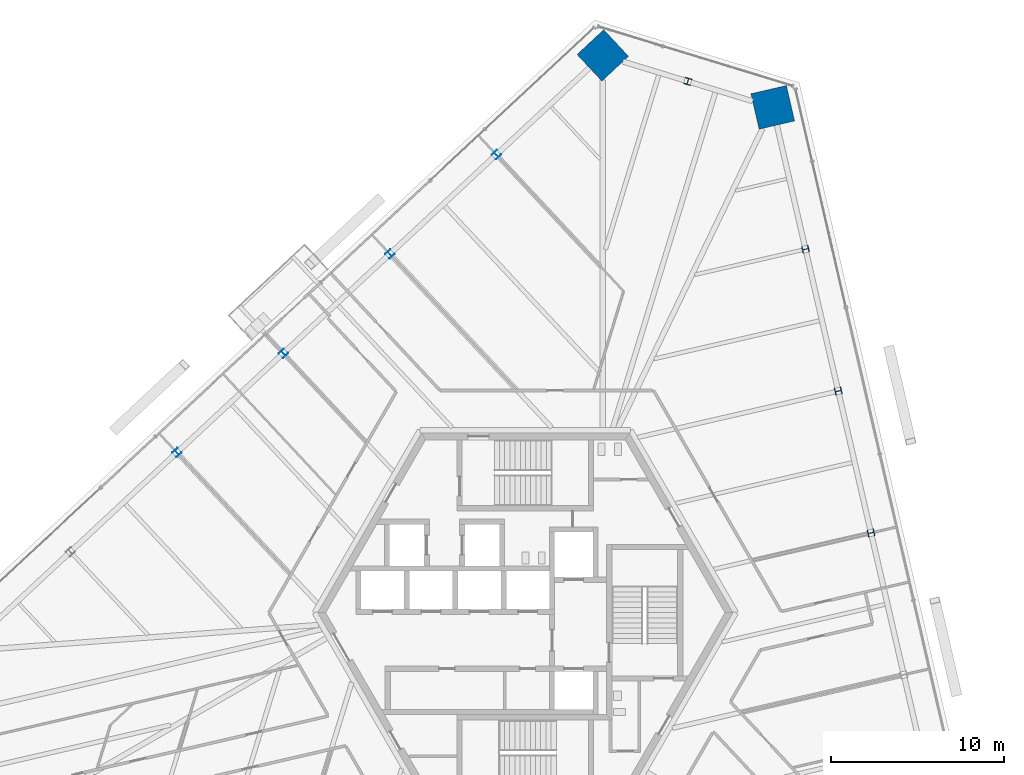
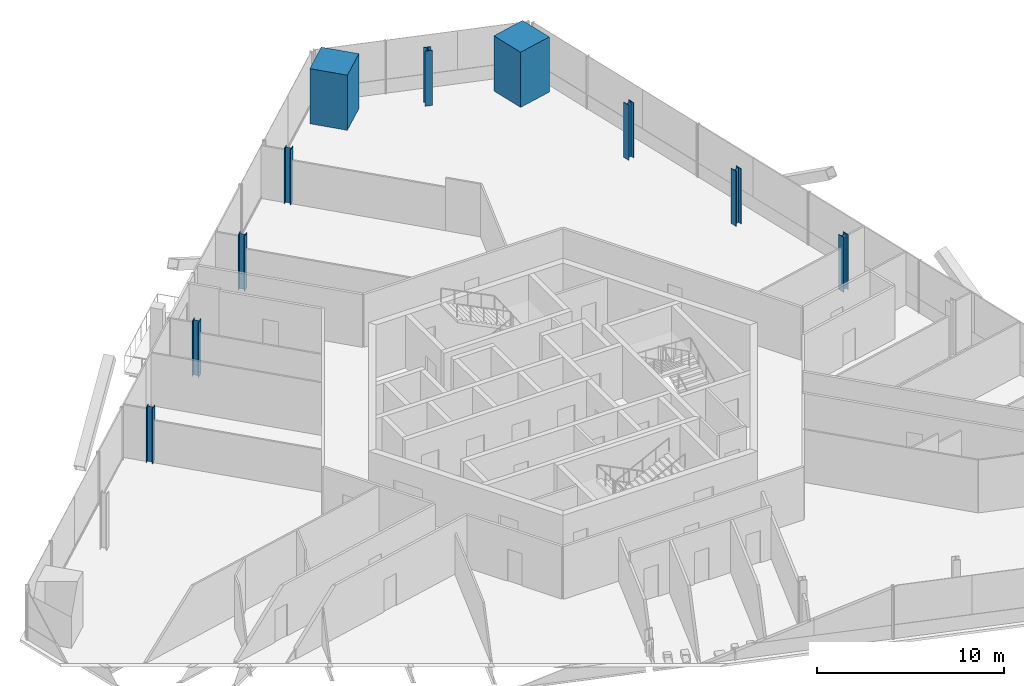
# One storey, part 3 of 19: 10 columns.
"""IFC4 building model written with IfcOpenShell, lengths in metres."""

import ifcopenshell
import ifcopenshell.guid

model = None  # the IFC model being written
_history = None  # IfcOwnerHistory: only IFC2X3 demands one
_inside = {}  # id of a spatial element -> (the spatial element, [elements in it])
_under = {}  # id of a project, library or spatial element -> (it, [spatial elements below it])
_declared = {}  # id of a project -> (the project, [libraries it declares])
_typed = {}  # id of a type object -> (the type object, [elements of that type])
_made_of = {}  # id of a material, layer set ... -> (it, [elements and type objects made of it])


def new_model(schema):
    """Start an empty IFC model of exactly this schema.

    Asked for "IFC4X3", IfcOpenShell would pick the latest addendum, in which some entities
    have other attributes; the version numbers below select the first issue.
    IFC2X3 requires an IfcOwnerHistory on every rooted entity: one is made here for all.
    """
    global model, _history
    if schema == "IFC4X3":
        model = ifcopenshell.file(schema_version=(4, 3, 0, 0))
    else:
        model = ifcopenshell.file(schema=schema)
    _inside.clear()
    _under.clear()
    _declared.clear()
    _typed.clear()
    _made_of.clear()
    _history = None
    if model.schema == "IFC2X3":
        org = make("IfcOrganization", Name="unknown")
        user = make(
            "IfcPersonAndOrganization",
            ThePerson=make("IfcPerson", FamilyName="unknown"),
            TheOrganization=org,
        )
        app = make(
            "IfcApplication",
            ApplicationDeveloper=org,
            Version="unknown",
            ApplicationFullName="unknown",
            ApplicationIdentifier="unknown",
        )
        _history = make(
            "IfcOwnerHistory",
            OwningUser=user,
            OwningApplication=app,
            ChangeAction="ADDED",
            CreationDate=0,
        )
    return model


def make(cls, **values):
    """One entity of the class cls with the attributes given. An attribute that is None is left unset."""
    return model.create_entity(
        cls, **{name: value for name, value in values.items() if value is not None}
    )


def rooted(cls, **values):
    """An entity with a GlobalId (a new one), such as an element, a storey or a relation."""
    return make(cls, GlobalId=ifcopenshell.guid.new(), OwnerHistory=_history, **values)


def si_unit(unit_type, name, prefix=None):
    """IfcSIUnit, for example si_unit("LENGTHUNIT", "METRE", prefix="MILLI")."""
    return make("IfcSIUnit", UnitType=unit_type, Prefix=prefix, Name=name)


def assignment(units):
    """IfcUnitAssignment: the units of a project."""
    return None if units is None else make("IfcUnitAssignment", Units=units)


def point(xyz):
    """IfcCartesianPoint."""
    return None if xyz is None else make("IfcCartesianPoint", Coordinates=xyz)


def direction(xyz):
    """IfcDirection."""
    return None if xyz is None else make("IfcDirection", DirectionRatios=xyz)


def frame(location, z_axis=None, x_axis=None):
    """IfcAxis2Placement3D, a coordinate frame: its origin and axes. An axis left out is left unset."""
    return make(
        "IfcAxis2Placement3D",
        Location=point(location),
        Axis=direction(z_axis),
        RefDirection=direction(x_axis),
    )


def frame_2d(location, x_axis=None):
    """IfcAxis2Placement2D, a coordinate frame in the plane: its origin and x axis."""
    return make(
        "IfcAxis2Placement2D", Location=point(location), RefDirection=direction(x_axis)
    )


def origin():
    """The frame at (0, 0, 0) with its axes left unset."""
    return frame((0.0, 0.0, 0.0))


def origin_2d():
    """The frame at (0, 0) in the plane with its x axis left unset."""
    return frame_2d((0.0, 0.0))


def place(relative_to, where):
    """IfcLocalPlacement: puts the frame where relative to a parent placement (None: the world)."""
    return make(
        "IfcLocalPlacement", PlacementRelTo=relative_to, RelativePlacement=where
    )


def context(
    kind, dimensions, precision=None, world=None, true_north=None, identifier=None
):
    """IfcGeometricRepresentationContext, for example the 3D "Model" context."""
    return make(
        "IfcGeometricRepresentationContext",
        ContextIdentifier=identifier,
        ContextType=kind,
        CoordinateSpaceDimension=dimensions,
        Precision=precision,
        WorldCoordinateSystem=world,
        TrueNorth=true_north,
    )


def subcontext(parent, identifier, kind, view, scale=None):
    """IfcGeometricRepresentationSubContext, for example "Body" below "Model"."""
    return make(
        "IfcGeometricRepresentationSubContext",
        ContextIdentifier=identifier,
        ContextType=kind,
        ParentContext=parent,
        TargetScale=scale,
        TargetView=view,
    )


def project(units=None, contexts=None):
    """IfcProject with its units and contexts."""
    return rooted(
        "IfcProject",
        Name="project",
        RepresentationContexts=contexts,
        UnitsInContext=assignment(units),
    )


def spatial(cls, under=None, at=None, **own):
    """A site, building, storey or space (cls), placed at a placement, below another one or the project."""
    s = rooted(cls, ObjectPlacement=at, **own)
    if under is not None:
        _under.setdefault(under.id(), (under, []))[1].append(s)
    return s


def profile(cls, at=None, kind="AREA", **sizes):
    """A parametric profile (cls). Its sizes go by their IFC names, for example OverallWidth=200.0."""
    return make(cls, ProfileType=kind, Position=at, **sizes)


def rectangle(**sizes):
    """IfcRectangleProfileDef."""
    return profile("IfcRectangleProfileDef", **sizes)


def i_section(**sizes):
    """IfcIShapeProfileDef."""
    return profile("IfcIShapeProfileDef", **sizes)


def extrude(swept, where, along, depth):
    """IfcExtrudedAreaSolid: the profile swept, set in the frame where, extruded along a direction by depth."""
    return make(
        "IfcExtrudedAreaSolid",
        SweptArea=swept,
        Position=where,
        ExtrudedDirection=direction(along),
        Depth=depth,
    )


def shape(context_of_items, identifier, shape_type, items):
    """IfcShapeRepresentation: the items that make up one representation, for example the "Body"."""
    return make(
        "IfcShapeRepresentation",
        ContextOfItems=context_of_items,
        RepresentationIdentifier=identifier,
        RepresentationType=shape_type,
        Items=items,
    )


def source(mapping_origin, context_of_items, identifier, shape_type, items):
    """IfcRepresentationMap: a shape defined once, which mapped items show again and again."""
    return make(
        "IfcRepresentationMap",
        MappingOrigin=mapping_origin,
        MappedRepresentation=shape(context_of_items, identifier, shape_type, items),
    )


def transform(
    local_origin,
    x_axis=None,
    y_axis=None,
    z_axis=None,
    scale=None,
    scale2=None,
    scale3=None,
    uniform=True,
):
    """IfcCartesianTransformationOperator3D, or its non-uniform kind. x_axis, y_axis, z_axis: its Axis1, 2, 3."""
    if uniform:
        return make(
            "IfcCartesianTransformationOperator3D",
            Axis1=direction(x_axis),
            Axis2=direction(y_axis),
            LocalOrigin=point(local_origin),
            Scale=scale,
            Axis3=direction(z_axis),
        )
    return make(
        "IfcCartesianTransformationOperator3DnonUniform",
        Axis1=direction(x_axis),
        Axis2=direction(y_axis),
        LocalOrigin=point(local_origin),
        Scale=scale,
        Axis3=direction(z_axis),
        Scale2=scale2,
        Scale3=scale3,
    )


def mapped(mapping_source, mapping_target):
    """IfcMappedItem: shows the shape of a source again, moved by a transform."""
    return make(
        "IfcMappedItem", MappingSource=mapping_source, MappingTarget=mapping_target
    )


def material(Name=None, Category=None):
    """IfcMaterial."""
    return make("IfcMaterial", Name=Name, Category=Category)


def material_profile(
    of_material, cross_section, Name=None, Category=None, Priority=None
):
    """IfcMaterialProfile: a cross section and its material."""
    return make(
        "IfcMaterialProfile",
        Name=Name,
        Material=of_material,
        Profile=cross_section,
        Priority=Priority,
        Category=Category,
    )


def profile_set(profiles, Name=None, composite=None):
    """IfcMaterialProfileSet."""
    return make(
        "IfcMaterialProfileSet",
        Name=Name,
        MaterialProfiles=profiles,
        CompositeProfile=composite,
    )


def made_of(thing, what):
    """Note that an element or type object is made of a material, layer set ...; save() writes the relation."""
    if what is not None:
        _made_of.setdefault(what.id(), (what, []))[1].append(thing)
    return thing


def type_object(cls, material=None, **own):
    """A type object (cls), such as IfcWallType, which elements share."""
    return made_of(rooted(cls, **own), material)


def element(
    cls,
    number,
    at=None,
    inside=None,
    cuts=None,
    type_object=None,
    material=None,
    context=None,
    identifier="Body",
    shape_type=None,
    held_by="IfcProductDefinitionShape",
    body=None,
    shapes=None,
    **own,
):
    """One element of the class cls, such as IfcWall. Its Tag is "e" and its number.

    at: its placement. inside: the storey or other place that contains it. cuts: it is an
    opening in that element (IfcRelVoidsElement). A single representation is given by context,
    identifier, shape_type and body (its items); several are given by shapes. held_by: the class
    of the entity that holds the representations. save() writes the other relations.
    """
    e = rooted(cls, Tag="e%d" % number, ObjectPlacement=at, **own)
    if body is not None:
        shapes = [shape(context, identifier, shape_type, body)]
    if shapes is not None:
        e.Representation = make(held_by, Representations=shapes)
    if inside is not None:
        _inside.setdefault(inside.id(), (inside, []))[1].append(e)
    if cuts is not None:
        rooted(
            "IfcRelVoidsElement", RelatingBuildingElement=cuts, RelatedOpeningElement=e
        )
    if type_object is not None:
        _typed.setdefault(type_object.id(), (type_object, []))[1].append(e)
    return made_of(e, material)


def aggregate(whole, parts):
    """IfcRelAggregates: a whole, such as a stair, and the parts it consists of."""
    return rooted("IfcRelAggregates", RelatingObject=whole, RelatedObjects=parts)


def save(model, path):
    """Write the relations noted so far, then the file.

    IfcRelAggregates (storeys below a building ...), IfcRelContainedInSpatialStructure (elements
    in a storey), IfcRelDefinesByType, IfcRelAssociatesMaterial and IfcRelDeclares: one each for
    every whole, place, type object, material and project.
    """
    for whole, parts in _under.values():
        aggregate(whole, parts)
    for where, things in _inside.values():
        rooted(
            "IfcRelContainedInSpatialStructure",
            RelatedElements=things,
            RelatingStructure=where,
        )
    for kind, things in _typed.values():
        rooted("IfcRelDefinesByType", RelatedObjects=things, RelatingType=kind)
    for what, things in _made_of.values():
        rooted("IfcRelAssociatesMaterial", RelatedObjects=things, RelatingMaterial=what)
    for by, libraries in _declared.values():
        rooted("IfcRelDeclares", RelatingContext=by, RelatedDefinitions=libraries)
    model.write(path)


model = new_model("IFC4")

# Units and contexts
model_context = context("Model", 3, precision=1e-05, world=origin(), true_north=direction((0.0, 1.0)))
body_context = subcontext(model_context, "Body", "Model", "MODEL_VIEW")
ifc_project = project(units=[si_unit("LENGTHUNIT", "METRE"), si_unit("AREAUNIT", "SQUARE_METRE"), si_unit("VOLUMEUNIT", "CUBIC_METRE"), si_unit("PLANEANGLEUNIT", "RADIAN"), si_unit("MASSUNIT", "GRAM", prefix="KILO")], contexts=[model_context])

# Site, building, storey
site_placement = place(None, origin())
site = spatial("IfcSite", under=ifc_project, at=site_placement, CompositionType="ELEMENT")
building_placement = place(site_placement, origin())
building = spatial("IfcBuilding", under=site, at=building_placement, Name="Triune Harvest Tower", CompositionType="ELEMENT")
storey_placement = place(building_placement, frame((0.0, 0.0, 109.10009765625)))
storey = spatial("IfcBuildingStorey", under=building, at=storey_placement, Name="L27", CompositionType="ELEMENT", Elevation=109.10009765625)

# Columns
ifc_material_1 = material(Name="Concrete 70 MPa", Category="concrete")
ifc_material_profile_1 = material_profile(ifc_material_1, rectangle(XDim=2.10009765625, YDim=2.10009765625, at=origin_2d()), Name="Composite 2100x2100")
ifc_profile_set_1 = profile_set([ifc_material_profile_1], Name="Concrete 70 MPa")
column_type_1 = type_object("IfcColumnType", Name="MC-3 Mega column Composite 2100x2100", PredefinedType="COLUMN", material=ifc_profile_set_1)
shared_shape_1 = source(origin(), body_context, "Body", "SweptSolid", [
    extrude(rectangle(XDim=2.10009765625, YDim=2.10009765625, at=origin_2d()), origin(), (0.0, 0.0, 1.0), 3.599853515625),
])
for number, where, z_axis, x_axis, name in (
    (1, (14.301513671875, 29.208984375, 0.0), (0.0, 0.0, 1.0), (-0.22495275494, 0.97436967217, 0.0), "col/L27/M6"),
    (2, (4.47705078125, 32.212646484375, 0.0), (0.0, 0.0, 1.0), (-0.73135489193, -0.681997083608, 0.0), "col/L27/M8"),
):
    element("IfcColumn", number, at=place(storey_placement, frame(where, z_axis=z_axis, x_axis=x_axis)), inside=storey, type_object=column_type_1, Name=name, PredefinedType="COLUMN", context=body_context, shape_type="MappedRepresentation", body=[
        mapped(shared_shape_1, transform((0.0, 0.0, 0.0), scale=1.0)),
    ])
ifc_material_2 = material(Name="Steel ASTM A992 Gr 50", Category="steel")
ifc_material_profile_2 = material_profile(ifc_material_2, i_section(OverallWidth=0.396240234375, OverallDepth=0.381103515625, WebThickness=0.01904296875, FlangeThickness=0.0302734375, at=origin_2d()), Name="W14x159")
ifc_profile_set_2 = profile_set([ifc_material_profile_2], Name="Steel ASTM A992 Gr 50")
column_type_2 = type_object("IfcColumnType", Name="PC-3 Perimeter column W14x159", PredefinedType="COLUMN", material=ifc_profile_set_2)
shared_shape_2 = source(origin(), body_context, "Body", "SweptSolid", [
    extrude(i_section(OverallWidth=0.396240234375, OverallDepth=0.381103515625, WebThickness=0.01904296875, FlangeThickness=0.0302734375, at=origin_2d()), origin(), (0.0, 0.0, 1.0), 3.599853515625),
])
for number, where, z_axis, x_axis, name in (
    (3, (19.97998046875, 4.61279296875, 0.0), (0.0, 0.0, 1.0), (-0.22495275494, 0.97436967217, 0.0), "col/L27/P3"),
    (4, (18.087158203125, 12.8115234375, 0.0), (0.0, 0.0, 1.0), (-0.22495275494, 0.97436967217, 0.0), "col/L27/P4"),
    (5, (16.1943359375, 21.01025390625, 0.0), (0.0, 0.0, 1.0), (-0.22495275494, 0.97436967217, 0.0), "col/L27/P5"),
    (6, (9.389404296875, 30.7109375, 0.0), (0.0, 0.0, 1.0), (-0.956304755963, 0.292371704723, 0.0), "col/L27/P7"),
    (7, (-1.6767578125, 26.47412109375, 0.0), (0.0, 0.0, 1.0), (-0.73135489193, -0.681997083608, 0.0), "col/L27/P9"),
    (8, (-7.830810546875, 20.7353515625, 0.0), (0.0, 0.0, 1.0), (-0.73135489193, -0.681997083608, 0.0), "col/L27/P10"),
    (9, (-13.984619140625, 14.996826171875, 0.0), (0.0, 0.0, 1.0), (-0.73135489193, -0.681997083608, 0.0), "col/L27/P11"),
    (10, (-20.138671875, 9.25830078125, 0.0), (0.0, 0.0, 1.0), (-0.73135489193, -0.681997083608, 0.0), "col/L27/P12"),
):
    element("IfcColumn", number, at=place(storey_placement, frame(where, z_axis=z_axis, x_axis=x_axis)), inside=storey, type_object=column_type_2, Name=name, PredefinedType="COLUMN", context=body_context, shape_type="MappedRepresentation", body=[
        mapped(shared_shape_2, transform((0.0, 0.0, 0.0), scale=1.0)),
    ])

save(model, "model.ifc")
